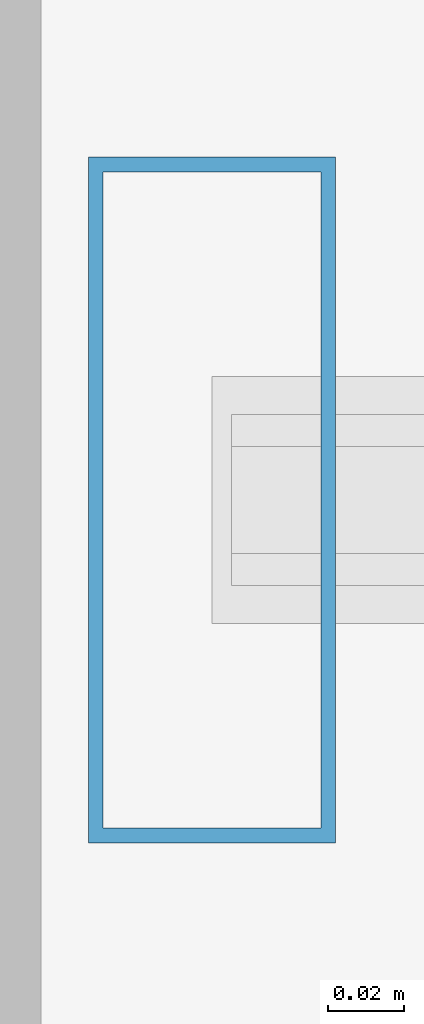
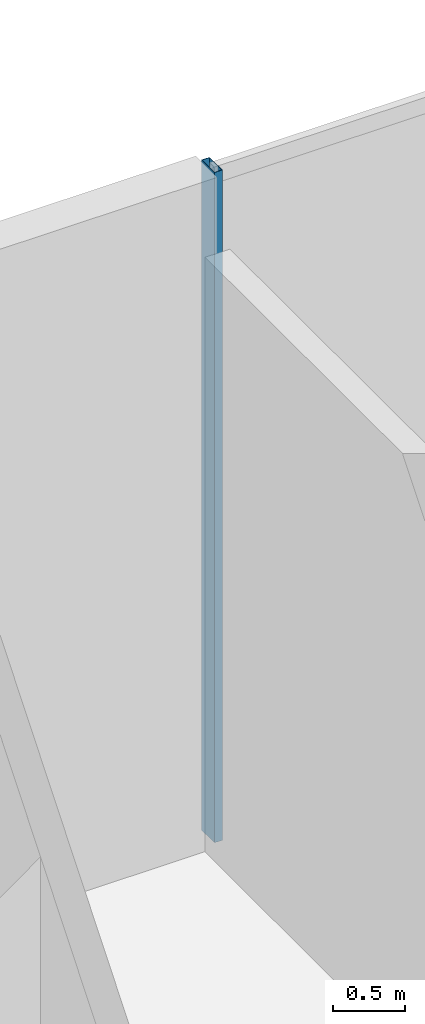
# One storey, part 14 of 34: 1 member, 1 element without a shape of its own.
"""IFC4 building model written with IfcOpenShell, lengths in metres."""

from ifc_helpers import new_model, si_unit, direction, frame, origin, origin_2d, place, context, subcontext, project, spatial, hollow_rectangle, extrude, material, layer, layer_set, material_profile, profile_set, type_object, element, aggregate, save


model = new_model("IFC4")

# Units and contexts
model_context = context("Model", 3, precision=1e-05, world=origin(), true_north=direction((0.0, 1.0)))
body_context = subcontext(model_context, "Body", "Model", "MODEL_VIEW")
ifc_project = project(units=[si_unit("LENGTHUNIT", "METRE"), si_unit("AREAUNIT", "SQUARE_METRE"), si_unit("VOLUMEUNIT", "CUBIC_METRE"), si_unit("PLANEANGLEUNIT", "RADIAN"), si_unit("MASSUNIT", "GRAM", prefix="KILO")], contexts=[model_context])

# Site, building, storey
site_placement = place(None, origin())
site = spatial("IfcSite", under=ifc_project, at=site_placement, CompositionType="ELEMENT")
building_placement = place(site_placement, origin())
building = spatial("IfcBuilding", under=site, at=building_placement, Name="Barlavira Tower and Art Museum", CompositionType="ELEMENT")
storey_placement = place(building_placement, origin())
storey = spatial("IfcBuildingStorey", under=building, at=storey_placement, Name="L00", CompositionType="ELEMENT", Elevation=0.0)

# Curtain wall, member
ifc_material_1 = material(Name="Low-iron coastal laminated glass", Category="glass")
ifc_layer = layer(ifc_material_1, 0.179931640625, Name="Low-iron coastal laminated glass")
ifc_layer_set = layer_set([ifc_layer], Name="Low-iron coastal laminated glass")
curtain_wall_type = type_object("IfcCurtainWallType", Name="Pale-Metal Unitised Curtain Wall Zone 1", PredefinedType="NOTDEFINED", material=ifc_layer_set)
curtain_wall_placement = place(storey_placement, origin())
curtain_wall = element("IfcCurtainWall", 1, at=curtain_wall_placement, inside=storey, type_object=curtain_wall_type, Name="L00 Curtain Wall CW1-L00-N", PredefinedType="NOTDEFINED")
ifc_material_2 = material(Name="Pale anodised aluminium", Category="aluminium")
ifc_material_profile = material_profile(ifc_material_2, hollow_rectangle(XDim=0.06494140625, YDim=0.179931640625, WallThickness=0.00390625, at=origin_2d()), Name="ALU-MULL 65x180x4")
ifc_profile_set = profile_set([ifc_material_profile], Name="Pale anodised aluminium")
member_type = type_object("IfcMemberType", Name="Curtain Wall Pale-Metal Mullion 65x180", PredefinedType="MULLION", material=ifc_profile_set)
member_placement = place(storey_placement, frame((-7.955078125, 27.64990234375, 0.0), z_axis=(0.0, 0.0, 1.0), x_axis=(-1.0, 0.0, 0.0)))
member = element("IfcMember", 2, at=member_placement, type_object=member_type, Name="CW1-L00-N Mullion 4", PredefinedType="MULLION", context=body_context, shape_type="SweptSolid", body=[
    extrude(hollow_rectangle(XDim=0.06494140625, YDim=0.179931640625, WallThickness=0.00390625, at=origin_2d()), origin(), (0.0, 0.0, 1.0), 5.719970703125),
])
aggregate(curtain_wall, [member])

save(model, "model.ifc")
